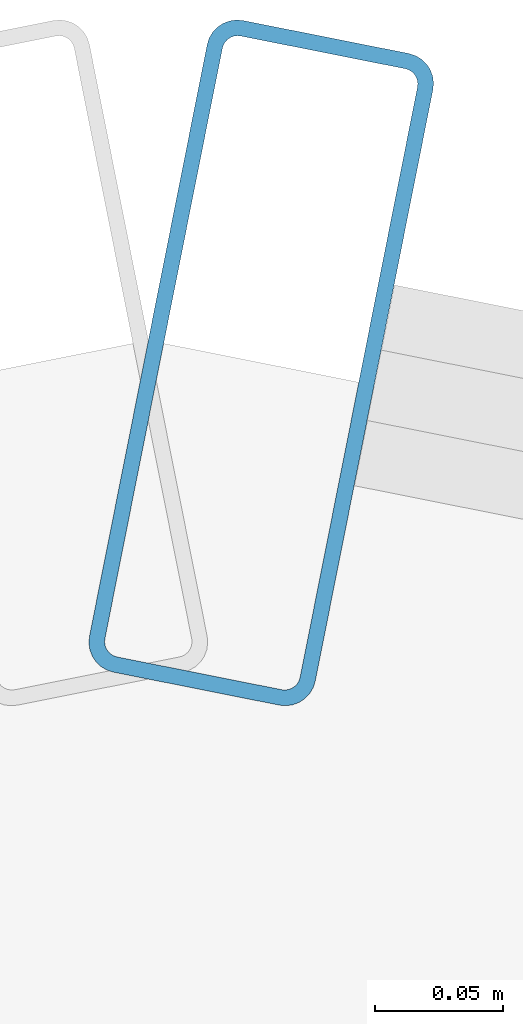
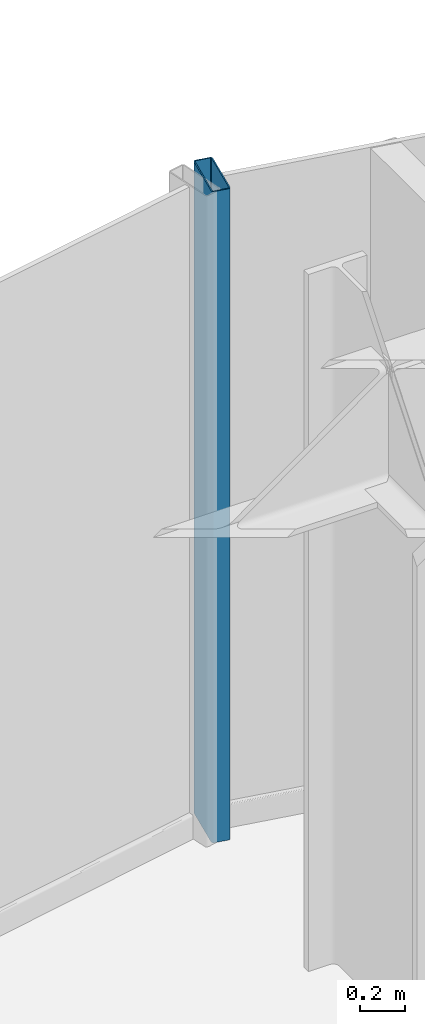
# One storey, part 15 of 26: 1 member, 1 element without a shape of its own.
"""IFC4 building model written with IfcOpenShell, lengths in metres."""

import ifcopenshell
import ifcopenshell.guid

model = None  # the IFC model being written
_history = None  # IfcOwnerHistory: only IFC2X3 demands one
_inside = {}  # id of a spatial element -> (the spatial element, [elements in it])
_under = {}  # id of a project, library or spatial element -> (it, [spatial elements below it])
_declared = {}  # id of a project -> (the project, [libraries it declares])
_typed = {}  # id of a type object -> (the type object, [elements of that type])
_made_of = {}  # id of a material, layer set ... -> (it, [elements and type objects made of it])


def new_model(schema):
    """Start an empty IFC model of exactly this schema.

    Asked for "IFC4X3", IfcOpenShell would pick the latest addendum, in which some entities
    have other attributes; the version numbers below select the first issue.
    IFC2X3 requires an IfcOwnerHistory on every rooted entity: one is made here for all.
    """
    global model, _history
    if schema == "IFC4X3":
        model = ifcopenshell.file(schema_version=(4, 3, 0, 0))
    else:
        model = ifcopenshell.file(schema=schema)
    _inside.clear()
    _under.clear()
    _declared.clear()
    _typed.clear()
    _made_of.clear()
    _history = None
    if model.schema == "IFC2X3":
        org = make("IfcOrganization", Name="unknown")
        user = make(
            "IfcPersonAndOrganization",
            ThePerson=make("IfcPerson", FamilyName="unknown"),
            TheOrganization=org,
        )
        app = make(
            "IfcApplication",
            ApplicationDeveloper=org,
            Version="unknown",
            ApplicationFullName="unknown",
            ApplicationIdentifier="unknown",
        )
        _history = make(
            "IfcOwnerHistory",
            OwningUser=user,
            OwningApplication=app,
            ChangeAction="ADDED",
            CreationDate=0,
        )
    return model


def make(cls, **values):
    """One entity of the class cls with the attributes given. An attribute that is None is left unset."""
    return model.create_entity(
        cls, **{name: value for name, value in values.items() if value is not None}
    )


def rooted(cls, **values):
    """An entity with a GlobalId (a new one), such as an element, a storey or a relation."""
    return make(cls, GlobalId=ifcopenshell.guid.new(), OwnerHistory=_history, **values)


def si_unit(unit_type, name, prefix=None):
    """IfcSIUnit, for example si_unit("LENGTHUNIT", "METRE", prefix="MILLI")."""
    return make("IfcSIUnit", UnitType=unit_type, Prefix=prefix, Name=name)


def assignment(units):
    """IfcUnitAssignment: the units of a project."""
    return None if units is None else make("IfcUnitAssignment", Units=units)


def point(xyz):
    """IfcCartesianPoint."""
    return None if xyz is None else make("IfcCartesianPoint", Coordinates=xyz)


def direction(xyz):
    """IfcDirection."""
    return None if xyz is None else make("IfcDirection", DirectionRatios=xyz)


def frame(location, z_axis=None, x_axis=None):
    """IfcAxis2Placement3D, a coordinate frame: its origin and axes. An axis left out is left unset."""
    return make(
        "IfcAxis2Placement3D",
        Location=point(location),
        Axis=direction(z_axis),
        RefDirection=direction(x_axis),
    )


def frame_2d(location, x_axis=None):
    """IfcAxis2Placement2D, a coordinate frame in the plane: its origin and x axis."""
    return make(
        "IfcAxis2Placement2D", Location=point(location), RefDirection=direction(x_axis)
    )


def origin():
    """The frame at (0, 0, 0) with its axes left unset."""
    return frame((0.0, 0.0, 0.0))


def origin_2d():
    """The frame at (0, 0) in the plane with its x axis left unset."""
    return frame_2d((0.0, 0.0))


def place(relative_to, where):
    """IfcLocalPlacement: puts the frame where relative to a parent placement (None: the world)."""
    return make(
        "IfcLocalPlacement", PlacementRelTo=relative_to, RelativePlacement=where
    )


def context(
    kind, dimensions, precision=None, world=None, true_north=None, identifier=None
):
    """IfcGeometricRepresentationContext, for example the 3D "Model" context."""
    return make(
        "IfcGeometricRepresentationContext",
        ContextIdentifier=identifier,
        ContextType=kind,
        CoordinateSpaceDimension=dimensions,
        Precision=precision,
        WorldCoordinateSystem=world,
        TrueNorth=true_north,
    )


def subcontext(parent, identifier, kind, view, scale=None):
    """IfcGeometricRepresentationSubContext, for example "Body" below "Model"."""
    return make(
        "IfcGeometricRepresentationSubContext",
        ContextIdentifier=identifier,
        ContextType=kind,
        ParentContext=parent,
        TargetScale=scale,
        TargetView=view,
    )


def project(units=None, contexts=None):
    """IfcProject with its units and contexts."""
    return rooted(
        "IfcProject",
        Name="project",
        RepresentationContexts=contexts,
        UnitsInContext=assignment(units),
    )


def spatial(cls, under=None, at=None, **own):
    """A site, building, storey or space (cls), placed at a placement, below another one or the project."""
    s = rooted(cls, ObjectPlacement=at, **own)
    if under is not None:
        _under.setdefault(under.id(), (under, []))[1].append(s)
    return s


def profile(cls, at=None, kind="AREA", **sizes):
    """A parametric profile (cls). Its sizes go by their IFC names, for example OverallWidth=200.0."""
    return make(cls, ProfileType=kind, Position=at, **sizes)


def hollow_rectangle(**sizes):
    """IfcRectangleHollowProfileDef."""
    return profile("IfcRectangleHollowProfileDef", **sizes)


def extrude(swept, where, along, depth):
    """IfcExtrudedAreaSolid: the profile swept, set in the frame where, extruded along a direction by depth."""
    return make(
        "IfcExtrudedAreaSolid",
        SweptArea=swept,
        Position=where,
        ExtrudedDirection=direction(along),
        Depth=depth,
    )


def shape(context_of_items, identifier, shape_type, items):
    """IfcShapeRepresentation: the items that make up one representation, for example the "Body"."""
    return make(
        "IfcShapeRepresentation",
        ContextOfItems=context_of_items,
        RepresentationIdentifier=identifier,
        RepresentationType=shape_type,
        Items=items,
    )


def source(mapping_origin, context_of_items, identifier, shape_type, items):
    """IfcRepresentationMap: a shape defined once, which mapped items show again and again."""
    return make(
        "IfcRepresentationMap",
        MappingOrigin=mapping_origin,
        MappedRepresentation=shape(context_of_items, identifier, shape_type, items),
    )


def transform(
    local_origin,
    x_axis=None,
    y_axis=None,
    z_axis=None,
    scale=None,
    scale2=None,
    scale3=None,
    uniform=True,
):
    """IfcCartesianTransformationOperator3D, or its non-uniform kind. x_axis, y_axis, z_axis: its Axis1, 2, 3."""
    if uniform:
        return make(
            "IfcCartesianTransformationOperator3D",
            Axis1=direction(x_axis),
            Axis2=direction(y_axis),
            LocalOrigin=point(local_origin),
            Scale=scale,
            Axis3=direction(z_axis),
        )
    return make(
        "IfcCartesianTransformationOperator3DnonUniform",
        Axis1=direction(x_axis),
        Axis2=direction(y_axis),
        LocalOrigin=point(local_origin),
        Scale=scale,
        Axis3=direction(z_axis),
        Scale2=scale2,
        Scale3=scale3,
    )


def mapped(mapping_source, mapping_target):
    """IfcMappedItem: shows the shape of a source again, moved by a transform."""
    return make(
        "IfcMappedItem", MappingSource=mapping_source, MappingTarget=mapping_target
    )


def material(Name=None, Category=None):
    """IfcMaterial."""
    return make("IfcMaterial", Name=Name, Category=Category)


def layer(
    of_material, thickness, ventilated=None, Name=None, Category=None, Priority=None
):
    """IfcMaterialLayer: one layer of a wall or slab, of a material (None: an air gap)."""
    return make(
        "IfcMaterialLayer",
        Material=of_material,
        LayerThickness=thickness,
        IsVentilated=ventilated,
        Name=Name,
        Category=Category,
        Priority=Priority,
    )


def layer_set(layers, Name=None):
    """IfcMaterialLayerSet."""
    return make("IfcMaterialLayerSet", MaterialLayers=layers, LayerSetName=Name)


def material_profile(
    of_material, cross_section, Name=None, Category=None, Priority=None
):
    """IfcMaterialProfile: a cross section and its material."""
    return make(
        "IfcMaterialProfile",
        Name=Name,
        Material=of_material,
        Profile=cross_section,
        Priority=Priority,
        Category=Category,
    )


def profile_set(profiles, Name=None, composite=None):
    """IfcMaterialProfileSet."""
    return make(
        "IfcMaterialProfileSet",
        Name=Name,
        MaterialProfiles=profiles,
        CompositeProfile=composite,
    )


def made_of(thing, what):
    """Note that an element or type object is made of a material, layer set ...; save() writes the relation."""
    if what is not None:
        _made_of.setdefault(what.id(), (what, []))[1].append(thing)
    return thing


def type_object(cls, material=None, **own):
    """A type object (cls), such as IfcWallType, which elements share."""
    return made_of(rooted(cls, **own), material)


def element(
    cls,
    number,
    at=None,
    inside=None,
    cuts=None,
    type_object=None,
    material=None,
    context=None,
    identifier="Body",
    shape_type=None,
    held_by="IfcProductDefinitionShape",
    body=None,
    shapes=None,
    **own,
):
    """One element of the class cls, such as IfcWall. Its Tag is "e" and its number.

    at: its placement. inside: the storey or other place that contains it. cuts: it is an
    opening in that element (IfcRelVoidsElement). A single representation is given by context,
    identifier, shape_type and body (its items); several are given by shapes. held_by: the class
    of the entity that holds the representations. save() writes the other relations.
    """
    e = rooted(cls, Tag="e%d" % number, ObjectPlacement=at, **own)
    if body is not None:
        shapes = [shape(context, identifier, shape_type, body)]
    if shapes is not None:
        e.Representation = make(held_by, Representations=shapes)
    if inside is not None:
        _inside.setdefault(inside.id(), (inside, []))[1].append(e)
    if cuts is not None:
        rooted(
            "IfcRelVoidsElement", RelatingBuildingElement=cuts, RelatedOpeningElement=e
        )
    if type_object is not None:
        _typed.setdefault(type_object.id(), (type_object, []))[1].append(e)
    return made_of(e, material)


def aggregate(whole, parts):
    """IfcRelAggregates: a whole, such as a stair, and the parts it consists of."""
    return rooted("IfcRelAggregates", RelatingObject=whole, RelatedObjects=parts)


def save(model, path):
    """Write the relations noted so far, then the file.

    IfcRelAggregates (storeys below a building ...), IfcRelContainedInSpatialStructure (elements
    in a storey), IfcRelDefinesByType, IfcRelAssociatesMaterial and IfcRelDeclares: one each for
    every whole, place, type object, material and project.
    """
    for whole, parts in _under.values():
        aggregate(whole, parts)
    for where, things in _inside.values():
        rooted(
            "IfcRelContainedInSpatialStructure",
            RelatedElements=things,
            RelatingStructure=where,
        )
    for kind, things in _typed.values():
        rooted("IfcRelDefinesByType", RelatedObjects=things, RelatingType=kind)
    for what, things in _made_of.values():
        rooted("IfcRelAssociatesMaterial", RelatedObjects=things, RelatingMaterial=what)
    for by, libraries in _declared.values():
        rooted("IfcRelDeclares", RelatingContext=by, RelatedDefinitions=libraries)
    model.write(path)


model = new_model("IFC4")

# Units and contexts
model_context = context("Model", 3, precision=1e-05, world=origin(), true_north=direction((0.0, 1.0)))
body_context = subcontext(model_context, "Body", "Model", "MODEL_VIEW")
ifc_project = project(units=[si_unit("LENGTHUNIT", "METRE"), si_unit("AREAUNIT", "SQUARE_METRE"), si_unit("VOLUMEUNIT", "CUBIC_METRE"), si_unit("PLANEANGLEUNIT", "RADIAN"), si_unit("MASSUNIT", "GRAM", prefix="KILO")], contexts=[model_context])

# Site, building, storey
site_placement = place(None, origin())
site = spatial("IfcSite", under=ifc_project, at=site_placement, CompositionType="ELEMENT")
building_placement = place(site_placement, origin())
building = spatial("IfcBuilding", under=site, at=building_placement, Name="Nefas-Gora Pilgrimage Tower", CompositionType="ELEMENT")
storey_placement = place(building_placement, frame((0.0, 0.0, 132.60009765625)))
storey = spatial("IfcBuildingStorey", under=building, at=storey_placement, Name="L32", CompositionType="ELEMENT", Elevation=132.60009765625)

# Curtain wall, member
ifc_material_1 = material(Name="Dark ceramic-fritted solar-control aluminium-glass curtain wall", Category="aluminium")
ifc_layer = layer(ifc_material_1, 0.219970703125)
ifc_layer_set = layer_set([ifc_layer], Name="Dark ceramic-fritted solar-control aluminium-glass curtain wall")
curtain_wall_type = type_object("IfcCurtainWallType", Name="CW-SYS-5", PredefinedType="NOTDEFINED", material=ifc_layer_set)
curtain_wall_placement = place(storey_placement, origin())
curtain_wall = element("IfcCurtainWall", 1, at=curtain_wall_placement, inside=storey, type_object=curtain_wall_type, Name="L32 Unitised Curtain Wall CW5", PredefinedType="NOTDEFINED")
ifc_material_2 = material(Name="Anodised architectural aluminium", Category="aluminium")
ifc_material_profile = material_profile(ifc_material_2, hollow_rectangle(XDim=0.090087890625, YDim=0.260009765625, WallThickness=0.006103515625, InnerFilletRadius=0.006103515625, OuterFilletRadius=0.011962890625, at=origin_2d()), Name="ALU MULLION 90x260")
ifc_profile_set = profile_set([ifc_material_profile], Name="Anodised architectural aluminium")
member_type = type_object("IfcMemberType", Name="CWM-MUL-5", PredefinedType="MULLION", material=ifc_profile_set)
shared_shape = source(origin(), body_context, "Body", "SweptSolid", [
    extrude(hollow_rectangle(XDim=0.090087890625, YDim=0.260009765625, WallThickness=0.006103515625, InnerFilletRadius=0.006103515625, OuterFilletRadius=0.011962890625, at=origin_2d()), origin(), (0.0, 0.0, 1.0), 3.5498046875),
])
member_placement = place(storey_placement, frame((-2.205810546875, 24.16357421875, 0.0), z_axis=(0.0, 0.0, 1.0), x_axis=(-0.980782896852, 0.195102304554, 0.0)))
member = element("IfcMember", 2, at=member_placement, type_object=member_type, Name="CW5 Mullion 2", PredefinedType="MULLION", context=body_context, shape_type="MappedRepresentation", body=[
    mapped(shared_shape, transform((0.0, 0.0, 0.0), x_axis=(1.0, 0.0, 0.0), y_axis=(0.0, 1.0, 0.0), z_axis=(0.0, 0.0, 1.0), scale=1.0)),
])
aggregate(curtain_wall, [member])

save(model, "model.ifc")
